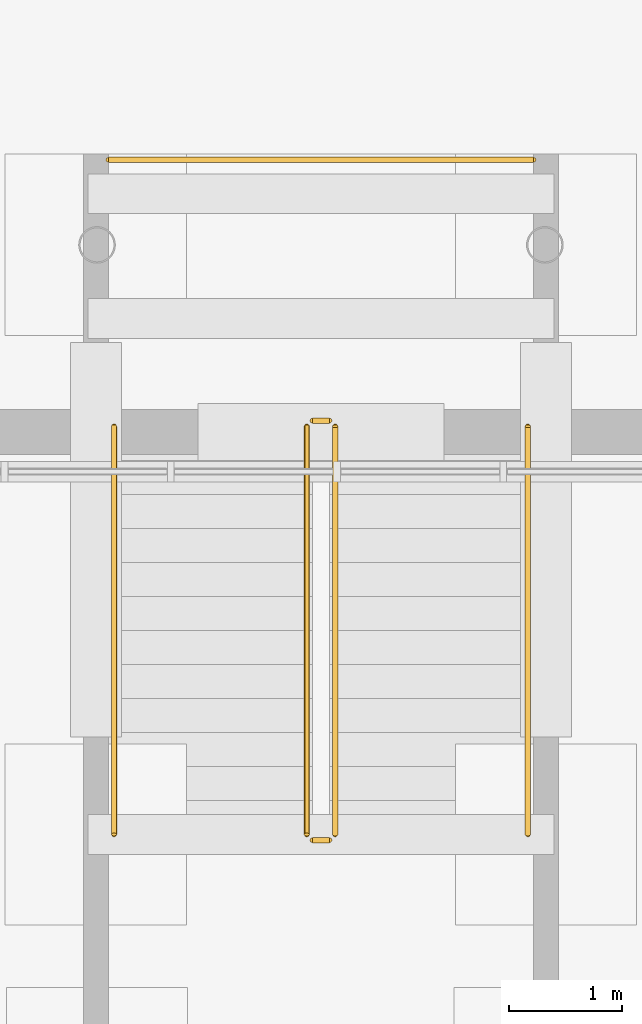
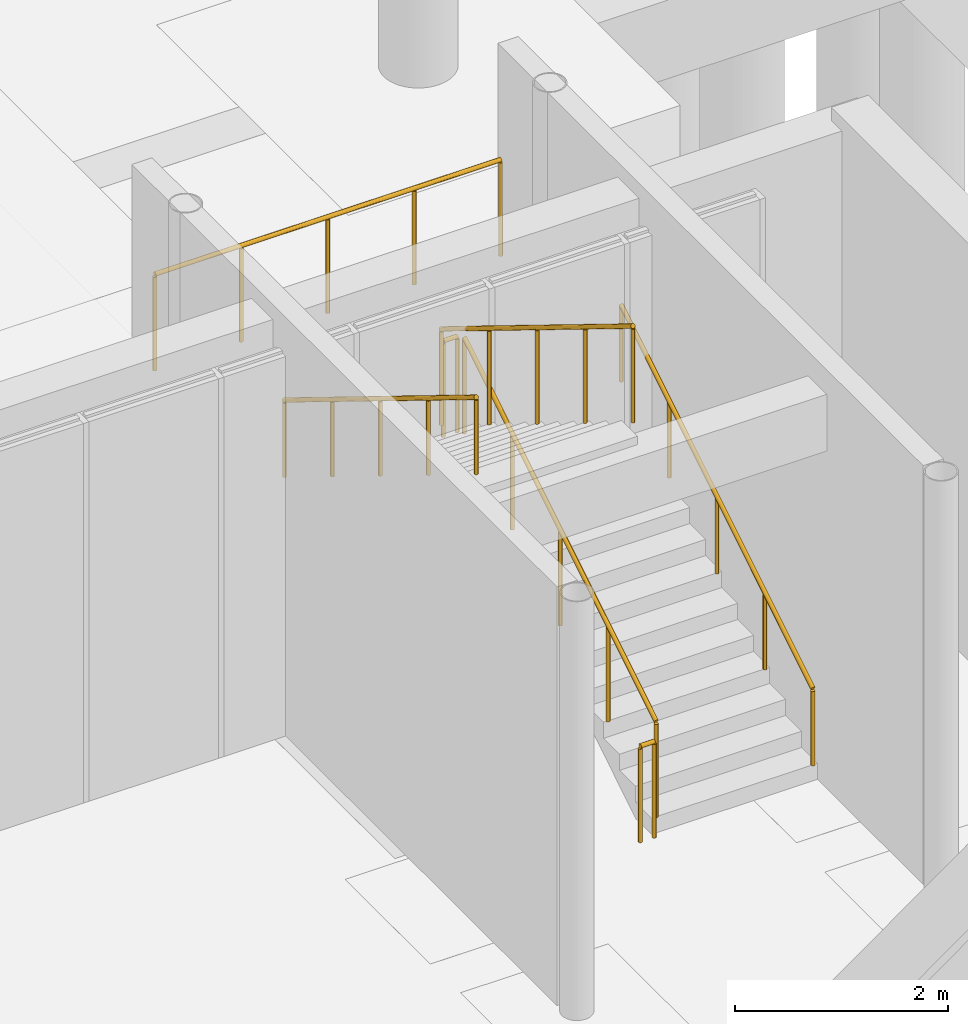
# One storey, part 37 of 46: 7 railings.
"""IFC4 building model written with IfcOpenShell, lengths in metres."""

from ifc_helpers import new_model, si_unit, direction, frame, origin, origin_2d, place, context, subcontext, project, spatial, circle, extrude, material, material_profile, profile_set, type_object, element, save


model = new_model("IFC4")

# Units and contexts
model_context = context("Model", 3, precision=1e-05, world=origin(), true_north=direction((0.0, 1.0)))
body_context = subcontext(model_context, "Body", "Model", "MODEL_VIEW")
ifc_project = project(units=[si_unit("LENGTHUNIT", "METRE"), si_unit("AREAUNIT", "SQUARE_METRE"), si_unit("VOLUMEUNIT", "CUBIC_METRE"), si_unit("PLANEANGLEUNIT", "RADIAN"), si_unit("MASSUNIT", "GRAM", prefix="KILO")], contexts=[model_context])

# Site, building, storey
site_placement = place(None, origin())
site = spatial("IfcSite", under=ifc_project, at=site_placement, CompositionType="ELEMENT")
building_placement = place(site_placement, origin())
building = spatial("IfcBuilding", under=site, at=building_placement, Name="Tazoul Stagehouse", CompositionType="ELEMENT")
storey_placement = place(building_placement, frame((0.0, 0.0, -4.800048828125)))
storey = spatial("IfcBuildingStorey", under=building, at=storey_placement, Name="B1", CompositionType="ELEMENT", Elevation=-4.800048828125)

# Railings
ifc_material = material(Name="Brushed Stainless Steel 316L", Category="steel")
ifc_material_profile_1 = material_profile(ifc_material, circle(Radius=0.02392578125, at=origin_2d()), Name="SS RAIL D48")
ifc_profile_set_1 = profile_set([ifc_material_profile_1], Name="Brushed Stainless Steel 316L")
railing_type_1 = type_object("IfcRailingType", Name="Architectural Guardrail H1120", PredefinedType="GUARDRAIL", material=ifc_profile_set_1)
railing_1_placement = place(storey_placement, frame((91.050048828125, 11.0, 0.1845703125)))
element("IfcRailing", 1, at=railing_1_placement, inside=storey, type_object=railing_type_1, Name="B1 ST-AMP-E stair guard 1", PredefinedType="GUARDRAIL", context=body_context, shape_type="SweptSolid", body=[
    extrude(circle(Radius=0.02392578125, at=origin_2d()), frame((0.0, 0.0, 1.09619140625), z_axis=(0.0, 0.851644435552, 0.524119981868), x_axis=(-1.0, 0.0, 0.0)), (0.0, 0.0, 1.0), 4.227294921875),
    extrude(circle(Radius=0.02099609375, at=origin_2d()), origin(), (0.0, 0.0, 1.0), 1.072021484375),
    extrude(circle(Radius=0.02099609375, at=origin_2d()), frame((0.0, 0.89990234375, 0.553955078125)), (0.0, 0.0, 1.0), 1.072021484375),
    extrude(circle(Radius=0.02099609375, at=origin_2d()), frame((0.0, 1.800048828125, 1.10791015625)), (0.0, 0.0, 1.0), 1.072021484375),
    extrude(circle(Radius=0.02099609375, at=origin_2d()), frame((0.0, 2.7001953125, 1.66162109375)), (0.0, 0.0, 1.0), 1.072021484375),
    extrude(circle(Radius=0.02099609375, at=origin_2d()), frame((0.0, 3.60009765625, 2.215576171875)), (0.0, 0.0, 1.0), 1.072021484375),
])
railing_2_placement = place(storey_placement, frame((91.0, 14.64990234375, 2.400146484375)))
element("IfcRailing", 2, at=railing_2_placement, inside=storey, type_object=railing_type_1, Name="B1 ST-AMP-E stair guard 2", PredefinedType="GUARDRAIL", context=body_context, shape_type="SweptSolid", body=[
    extrude(circle(Radius=0.02392578125, at=origin_2d()), frame((0.0, 0.0, 1.09619140625), z_axis=(-1.0, 0.0, 0.0), x_axis=(0.0, -1.0, 0.0)), (0.0, 0.0, 1.0), 0.14990234375),
    extrude(circle(Radius=0.02099609375, at=origin_2d()), origin(), (0.0, 0.0, 1.0), 1.072021484375),
    extrude(circle(Radius=0.02099609375, at=origin_2d()), frame((-0.14990234375, 0.0, 0.0)), (0.0, 0.0, 1.0), 1.072021484375),
])
railing_3_placement = place(storey_placement, frame((92.800048828125, 16.949951171875, 2.400146484375)))
element("IfcRailing", 3, at=railing_3_placement, inside=storey, type_object=railing_type_1, Name="B1 ST-AMP-E stair guard 3", PredefinedType="GUARDRAIL", context=body_context, shape_type="SweptSolid", body=[
    extrude(circle(Radius=0.02392578125, at=origin_2d()), frame((0.0, 0.0, 1.09619140625), z_axis=(-1.0, 0.0, 0.0), x_axis=(0.0, -1.0, 0.0)), (0.0, 0.0, 1.0), 3.75),
    extrude(circle(Radius=0.02099609375, at=origin_2d()), origin(), (0.0, 0.0, 1.0), 1.072021484375),
    extrude(circle(Radius=0.02099609375, at=origin_2d()), frame((-0.9375, 0.0, 0.0)), (0.0, 0.0, 1.0), 1.072021484375),
    extrude(circle(Radius=0.02099609375, at=origin_2d()), frame((-1.875, 0.0, 0.0)), (0.0, 0.0, 1.0), 1.072021484375),
    extrude(circle(Radius=0.02099609375, at=origin_2d()), frame((-2.8125, 0.0, 0.0)), (0.0, 0.0, 1.0), 1.072021484375),
    extrude(circle(Radius=0.02099609375, at=origin_2d()), frame((-3.75, 0.0, 0.0)), (0.0, 0.0, 1.0), 1.072021484375),
])
railing_4_placement = place(storey_placement, frame((90.800048828125, 14.60009765625, 2.584716796875)))
element("IfcRailing", 4, at=railing_4_placement, inside=storey, type_object=railing_type_1, Name="B1 ST-AMP-E stair guard 4", PredefinedType="GUARDRAIL", context=body_context, shape_type="SweptSolid", body=[
    extrude(circle(Radius=0.02392578125, at=origin_2d()), frame((0.0, 0.0, 1.09619140625), z_axis=(0.0, -0.85167021472, 0.524078090897), x_axis=(1.0, 0.0, 0.0)), (0.0, 0.0, 1.0), 4.22705078125),
    extrude(circle(Radius=0.02099609375, at=origin_2d()), origin(), (0.0, 0.0, 1.0), 1.072021484375),
    extrude(circle(Radius=0.02099609375, at=origin_2d()), frame((0.0, -0.89990234375, 0.5537109375)), (0.0, 0.0, 1.0), 1.072021484375),
    extrude(circle(Radius=0.02099609375, at=origin_2d()), frame((0.0, -1.800048828125, 1.107666015625)), (0.0, 0.0, 1.0), 1.072021484375),
    extrude(circle(Radius=0.02099609375, at=origin_2d()), frame((0.0, -2.7001953125, 1.66162109375)), (0.0, 0.0, 1.0), 1.072021484375),
    extrude(circle(Radius=0.02099609375, at=origin_2d()), frame((0.0, -3.60009765625, 2.21533203125)), (0.0, 0.0, 1.0), 1.072021484375),
])
railing_5_placement = place(storey_placement, frame((91.0, 10.949951171875, 0.0)))
element("IfcRailing", 5, at=railing_5_placement, inside=storey, type_object=railing_type_1, Name="B1 ST-AMP-E stair guard 5", PredefinedType="GUARDRAIL", context=body_context, shape_type="SweptSolid", body=[
    extrude(circle(Radius=0.02392578125, at=origin_2d()), frame((0.0, 0.0, 1.09619140625), z_axis=(-1.0, 0.0, 0.0), x_axis=(0.0, -1.0, 0.0)), (0.0, 0.0, 1.0), 0.14990234375),
    extrude(circle(Radius=0.02099609375, at=origin_2d()), origin(), (0.0, 0.0, 1.0), 1.072021484375),
    extrude(circle(Radius=0.02099609375, at=origin_2d()), frame((-0.14990234375, 0.0, 0.0)), (0.0, 0.0, 1.0), 1.072021484375),
])
ifc_material_profile_2 = material_profile(ifc_material, circle(Radius=0.02099609375, at=origin_2d()), Name="SS HANDRAIL D42")
ifc_profile_set_2 = profile_set([ifc_material_profile_2], Name="Brushed Stainless Steel 316L")
railing_type_2 = type_object("IfcRailingType", Name="Continuous Stair Handrail H900", PredefinedType="HANDRAIL", material=ifc_profile_set_2)
railing_6_placement = place(storey_placement, frame((92.75, 11.0, 0.1845703125)))
element("IfcRailing", 6, at=railing_6_placement, inside=storey, type_object=railing_type_2, Name="B1 ST-AMP-E stair handrail 1", PredefinedType="HANDRAIL", context=body_context, shape_type="SweptSolid", body=[
    extrude(circle(Radius=0.02392578125, at=origin_2d()), frame((0.0, 0.0, 0.8759765625), z_axis=(0.0, 0.851644435552, 0.524119981868), x_axis=(-1.0, 0.0, 0.0)), (0.0, 0.0, 1.0), 4.227294921875),
    extrude(circle(Radius=0.02099609375, at=origin_2d()), origin(), (0.0, 0.0, 1.0), 0.851806640625),
    extrude(circle(Radius=0.02099609375, at=origin_2d()), frame((0.0, 0.89990234375, 0.553955078125)), (0.0, 0.0, 1.0), 0.851806640625),
    extrude(circle(Radius=0.02099609375, at=origin_2d()), frame((0.0, 1.800048828125, 1.10791015625)), (0.0, 0.0, 1.0), 0.851806640625),
    extrude(circle(Radius=0.02099609375, at=origin_2d()), frame((0.0, 2.7001953125, 1.66162109375)), (0.0, 0.0, 1.0), 0.851806640625),
    extrude(circle(Radius=0.02099609375, at=origin_2d()), frame((0.0, 3.60009765625, 2.215576171875)), (0.0, 0.0, 1.0), 0.851806640625),
])
railing_7_placement = place(storey_placement, frame((89.10009765625, 14.60009765625, 2.584716796875)))
element("IfcRailing", 7, at=railing_7_placement, inside=storey, type_object=railing_type_2, Name="B1 ST-AMP-E stair handrail 2", PredefinedType="HANDRAIL", context=body_context, shape_type="SweptSolid", body=[
    extrude(circle(Radius=0.02392578125, at=origin_2d()), frame((0.0, 0.0, 0.8759765625), z_axis=(0.0, -0.85167021472, 0.524078090897), x_axis=(1.0, 0.0, 0.0)), (0.0, 0.0, 1.0), 4.22705078125),
    extrude(circle(Radius=0.02099609375, at=origin_2d()), origin(), (0.0, 0.0, 1.0), 0.851806640625),
    extrude(circle(Radius=0.02099609375, at=origin_2d()), frame((0.0, -0.89990234375, 0.5537109375)), (0.0, 0.0, 1.0), 0.851806640625),
    extrude(circle(Radius=0.02099609375, at=origin_2d()), frame((0.0, -1.800048828125, 1.107666015625)), (0.0, 0.0, 1.0), 0.851806640625),
    extrude(circle(Radius=0.02099609375, at=origin_2d()), frame((0.0, -2.7001953125, 1.66162109375)), (0.0, 0.0, 1.0), 0.851806640625),
    extrude(circle(Radius=0.02099609375, at=origin_2d()), frame((0.0, -3.60009765625, 2.21533203125)), (0.0, 0.0, 1.0), 0.851806640625),
])

save(model, "model.ifc")
